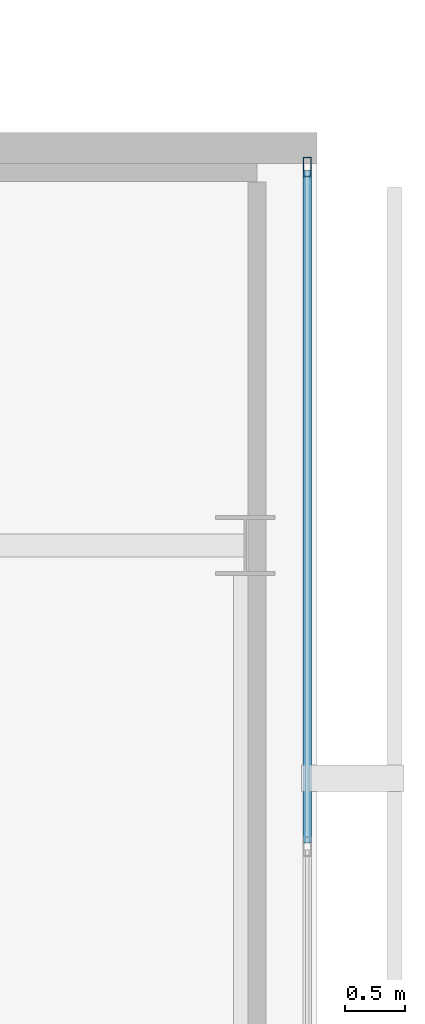
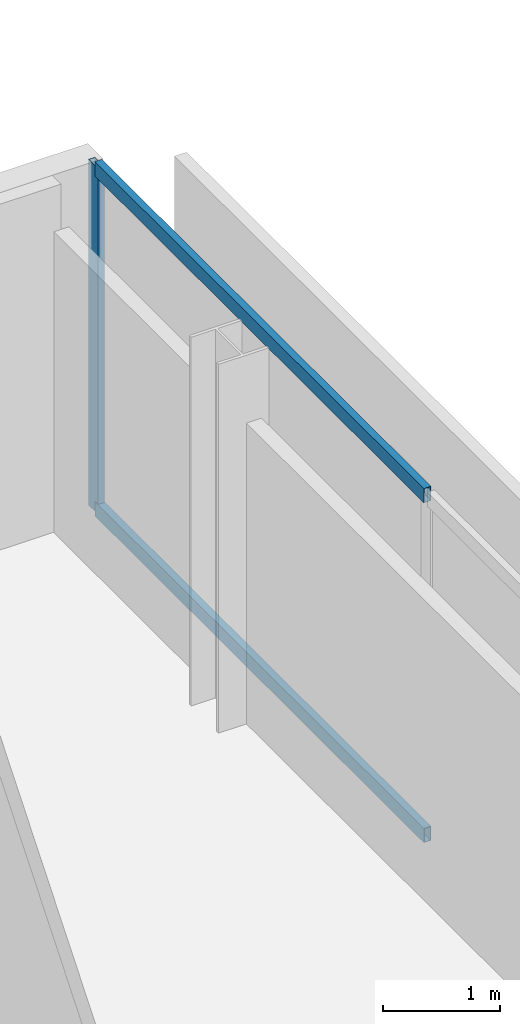
# One storey, part 15 of 24: 3 members, 1 element without a shape of its own.
"""IFC4 building model written with IfcOpenShell, lengths in metres."""

from ifc_helpers import new_model, si_unit, direction, frame, origin, origin_2d, place, context, subcontext, project, spatial, hollow_rectangle, extrude, material, layer, layer_set, material_profile, profile_set, type_object, element, aggregate, save


model = new_model("IFC4")

# Units and contexts
model_context = context("Model", 3, precision=1e-05, world=origin(), true_north=direction((0.0, 1.0)))
body_context = subcontext(model_context, "Body", "Model", "MODEL_VIEW")
ifc_project = project(units=[si_unit("LENGTHUNIT", "METRE"), si_unit("AREAUNIT", "SQUARE_METRE"), si_unit("VOLUMEUNIT", "CUBIC_METRE"), si_unit("PLANEANGLEUNIT", "RADIAN"), si_unit("MASSUNIT", "GRAM", prefix="KILO")], contexts=[model_context])

# Site, building, storey
site_placement = place(None, origin())
site = spatial("IfcSite", under=ifc_project, at=site_placement, CompositionType="ELEMENT")
building_placement = place(site_placement, origin())
building = spatial("IfcBuilding", under=site, at=building_placement, Name="Maruvema Waterfront Hotel and Observation Tower", CompositionType="ELEMENT")
storey_placement = place(building_placement, frame((0.0, 0.0, 329.699951171875)))
storey = spatial("IfcBuildingStorey", under=building, at=storey_placement, Name="L81", CompositionType="ELEMENT", Elevation=329.699951171875)

# Curtain wall, members
ifc_material_1 = material(Name="Anodised bronze aluminium and solar-control low-E IGU", Category="aluminium")
ifc_layer = layer(ifc_material_1, 0.159912109375, Name="Zone 4 Sky Residence Inner Curtain Wall System CW-05")
ifc_layer_set = layer_set([ifc_layer], Name="Anodised bronze aluminium and solar-control low-E IGU")
curtain_wall_type = type_object("IfcCurtainWallType", Name="Zone 4 Sky Residence Inner Curtain Wall System CW-05", PredefinedType="USERDEFINED", material=ifc_layer_set)
curtain_wall_placement = place(storey_placement, origin())
curtain_wall = element("IfcCurtainWall", 1, at=curtain_wall_placement, inside=storey, type_object=curtain_wall_type, Name="L81 Curtain Wall CW-L81-E", ObjectType="UNITISED CURTAIN WALL", PredefinedType="USERDEFINED")
ifc_material_2 = material(Name="Anodised architectural bronze aluminium", Category="aluminium")
ifc_material_profile_1 = material_profile(ifc_material_2, hollow_rectangle(XDim=0.070068359375, YDim=0.14990234375, WallThickness=0.00390625, at=origin_2d()), Name="ALU-T70x150")
ifc_profile_set_1 = profile_set([ifc_material_profile_1], Name="Anodised architectural bronze aluminium")
member_type_1 = type_object("IfcMemberType", Name="Curtain Wall Horizontal Transom ALU-T70x150", PredefinedType="USERDEFINED", material=ifc_profile_set_1)
member_1_placement = place(storey_placement, frame((57.820068359375, 42.510009765625, 0.030029296875), z_axis=(0.0, 1.0, 0.0), x_axis=(-1.0, 0.0, 0.0)))
member_1 = element("IfcMember", 2, at=member_1_placement, type_object=member_type_1, Name="CW-05 transom 5.1", ObjectType="TRANSOM", PredefinedType="USERDEFINED", context=body_context, shape_type="SweptSolid", body=[
    extrude(hollow_rectangle(XDim=0.070068359375, YDim=0.14990234375, WallThickness=0.00390625, at=origin_2d()), origin(), (0.0, 0.0, 1.0), 5.6298828125),
])
member_2_placement = place(storey_placement, frame((57.820068359375, 42.510009765625, 3.580078125), z_axis=(0.0, 1.0, 0.0), x_axis=(-1.0, 0.0, 0.0)))
member_2 = element("IfcMember", 3, at=member_2_placement, type_object=member_type_1, Name="CW-05 transom 5.2", ObjectType="TRANSOM", PredefinedType="USERDEFINED", context=body_context, shape_type="SweptSolid", body=[
    extrude(hollow_rectangle(XDim=0.070068359375, YDim=0.14990234375, WallThickness=0.00390625, at=origin_2d()), origin(), (0.0, 0.0, 1.0), 5.6298828125),
])
ifc_material_3 = material(Name="Anodised architectural bronze aluminium", Category="aluminium")
ifc_material_profile_2 = material_profile(ifc_material_3, hollow_rectangle(XDim=0.06494140625, YDim=0.1650390625, WallThickness=0.00390625, at=origin_2d()), Name="ALU-M65x165")
ifc_profile_set_2 = profile_set([ifc_material_profile_2], Name="Anodised architectural bronze aluminium")
member_type_2 = type_object("IfcMemberType", Name="Curtain Wall Primary Mullion ALU-M65x165", PredefinedType="MULLION", material=ifc_profile_set_2)
member_3_placement = place(storey_placement, frame((57.820068359375, 48.169921875, 0.0), z_axis=(0.0, 0.0, 1.0), x_axis=(-1.0, 0.0, 0.0)))
member_3 = element("IfcMember", 4, at=member_3_placement, type_object=member_type_2, Name="CW-05 mullion 6", PredefinedType="MULLION", context=body_context, shape_type="SweptSolid", body=[
    extrude(hollow_rectangle(XDim=0.06494140625, YDim=0.1650390625, WallThickness=0.00390625, at=origin_2d()), origin(), (0.0, 0.0, 1.0), 3.610107421875),
])
aggregate(curtain_wall, [member_3, member_1, member_2])

save(model, "model.ifc")
